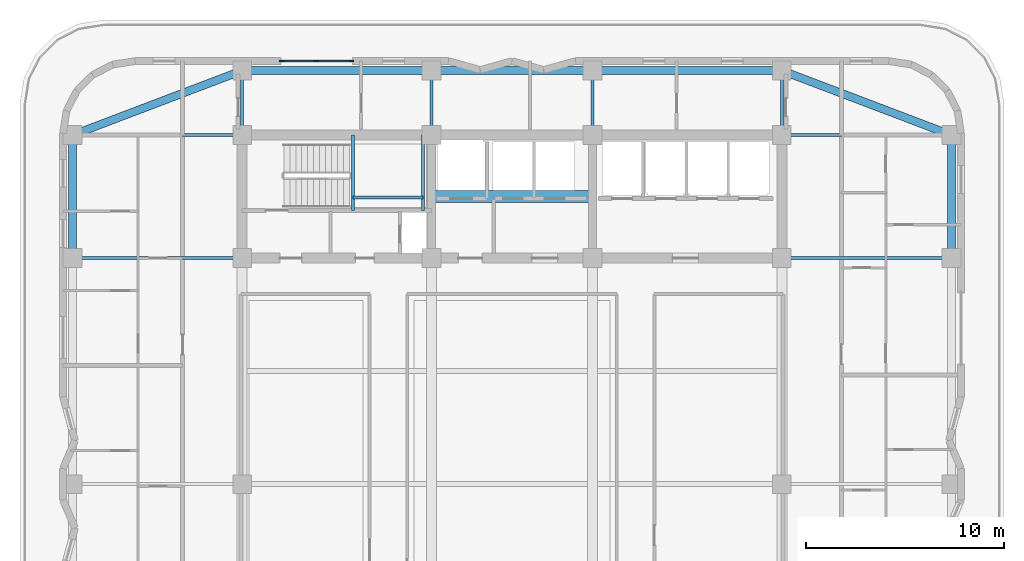
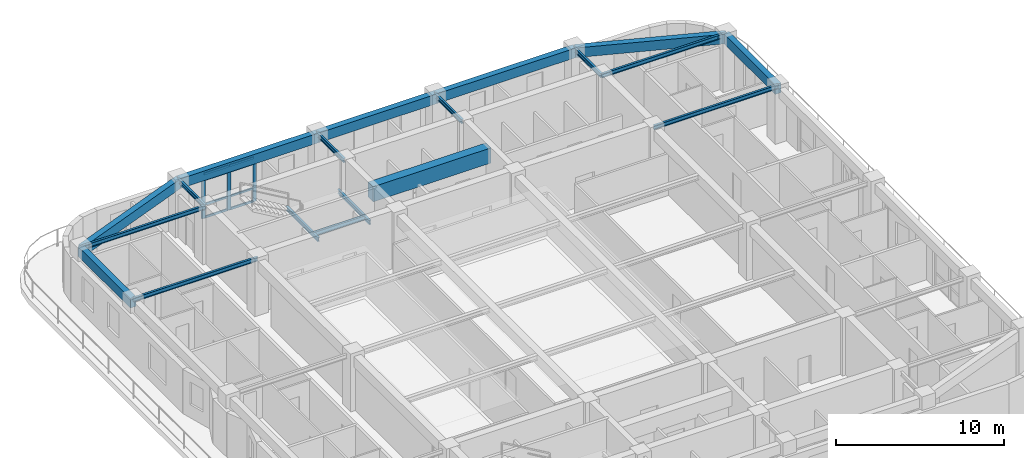
# One storey, part 4 of 14: 19 beams, 11 members, 1 element without a shape of its own.
"""IFC4 building model written with IfcOpenShell, lengths in metres."""

from ifc_helpers import new_model, si_unit, direction, frame, origin, origin_2d, place, context, subcontext, project, spatial, rectangle, i_section, extrude, material, material_profile, profile_set, type_object, element, aggregate, save


model = new_model("IFC4")

# Units and contexts
model_context = context("Model", 3, precision=1e-05, world=origin(), true_north=direction((0.0, 1.0)))
body_context = subcontext(model_context, "Body", "Model", "MODEL_VIEW")
ifc_project = project(units=[si_unit("LENGTHUNIT", "METRE"), si_unit("AREAUNIT", "SQUARE_METRE"), si_unit("VOLUMEUNIT", "CUBIC_METRE"), si_unit("PLANEANGLEUNIT", "RADIAN"), si_unit("MASSUNIT", "GRAM", prefix="KILO")], contexts=[model_context])

# Site, building, storey
site_placement = place(None, origin())
site = spatial("IfcSite", under=ifc_project, at=site_placement, CompositionType="ELEMENT")
building_placement = place(site_placement, origin())
building = spatial("IfcBuilding", under=site, at=building_placement, Name="Svetorya Sky Lyceum", CompositionType="ELEMENT")
storey_placement = place(building_placement, frame((0.0, 0.0, 143.60009765625)))
storey = spatial("IfcBuildingStorey", under=building, at=storey_placement, Name="L35", CompositionType="ELEMENT", Elevation=143.60009765625)

# Beams
ifc_material_1 = material(Name="Concrete C60/75", Category="concrete")
ifc_material_profile_1 = material_profile(ifc_material_1, rectangle(XDim=0.60009765625, YDim=1.10009765625, at=origin_2d()), Name="RC COUPLING 600x1100")
ifc_profile_set_1 = profile_set([ifc_material_profile_1], Name="Concrete C60/75")
beam_type_1 = type_object("IfcBeamType", Name="BM-CPL-1100", PredefinedType="LINTEL", material=ifc_profile_set_1)
beam_1_placement = place(storey_placement, frame((35.14990234375, 42.699951171875, 3.389892578125), z_axis=(1.0, 0.0, 0.0), x_axis=(0.0, 1.0, 0.0)))
element("IfcBeam", 1, at=beam_1_placement, inside=storey, type_object=beam_type_1, Name="L35 NC Core Coupling Beam", PredefinedType="LINTEL", context=body_context, shape_type="SweptSolid", body=[
    extrude(rectangle(XDim=0.60009765625, YDim=1.10009765625, at=origin_2d()), origin(), (0.0, 0.0, 1.0), 8.10009765625),
])
ifc_material_2 = material(Name="Concrete C50/60", Category="concrete")
ifc_material_profile_2 = material_profile(ifc_material_2, rectangle(XDim=0.39990234375, YDim=0.699951171875, at=origin_2d()), Name="RC SPANDREL 400x700")
ifc_profile_set_2 = profile_set([ifc_material_profile_2], Name="Concrete C50/60")
beam_type_2 = type_object("IfcBeamType", Name="BM-SPN-700", PredefinedType="SPANDREL", material=ifc_profile_set_2)
beam_2_placement = place(storey_placement, frame((25.60009765625, 49.050048828125, 3.58984375), z_axis=(1.0, 0.0, 0.0), x_axis=(0.0, 1.0, 0.0)))
element("IfcBeam", 2, at=beam_2_placement, inside=storey, type_object=beam_type_2, Name="L35 North Spandrel 1", PredefinedType="SPANDREL", context=body_context, shape_type="SweptSolid", body=[
    extrude(rectangle(XDim=0.39990234375, YDim=0.699951171875, at=origin_2d()), origin(), (0.0, 0.0, 1.0), 9.5498046875),
])
beam_3_placement = place(storey_placement, frame((35.14990234375, 49.050048828125, 3.58984375), z_axis=(1.0, 0.0, 0.0), x_axis=(0.0, 1.0, 0.0)))
element("IfcBeam", 3, at=beam_3_placement, inside=storey, type_object=beam_type_2, Name="L35 North Spandrel 2", PredefinedType="SPANDREL", context=body_context, shape_type="SweptSolid", body=[
    extrude(rectangle(XDim=0.39990234375, YDim=0.699951171875, at=origin_2d()), origin(), (0.0, 0.0, 1.0), 8.10009765625),
])
beam_4_placement = place(storey_placement, frame((43.25, 49.050048828125, 3.58984375), z_axis=(1.0, 0.0, 0.0), x_axis=(0.0, 1.0, 0.0)))
element("IfcBeam", 4, at=beam_4_placement, inside=storey, type_object=beam_type_2, Name="L35 North Spandrel 3", PredefinedType="SPANDREL", context=body_context, shape_type="SweptSolid", body=[
    extrude(rectangle(XDim=0.39990234375, YDim=0.699951171875, at=origin_2d()), origin(), (0.0, 0.0, 1.0), 9.550048828125),
])
for number, where, z_axis, x_axis, name in (
    (5, (61.35009765625, 45.800048828125, 3.58984375), (-0.934747947367, 0.355311518099, 0.0), (-0.355311518099, -0.934747947367, 0.0), "L35 Corner Spandrel 3"),
    (6, (17.050048828125, 45.800048828125, 3.58984375), (0.934747947367, 0.355311518099, 0.0), (-0.355311518099, 0.934747947367, 0.0), "L35 Corner Spandrel 4"),
):
    element("IfcBeam", number, at=place(storey_placement, frame(where, z_axis=z_axis, x_axis=x_axis)), inside=storey, type_object=beam_type_2, Name=name, PredefinedType="SPANDREL", context=body_context, shape_type="SweptSolid", body=[
        extrude(rectangle(XDim=0.39990234375, YDim=0.699951171875, at=origin_2d()), origin(), (0.0, 0.0, 1.0), 9.14697265625),
    ])
for number, where, z_axis, x_axis, name in (
    (7, (17.050048828125, 39.60009765625, 3.58984375), (0.0, 1.0, 0.0), (-1.0, 0.0, 0.0), "L35 West Spandrel 4"),
    (8, (61.35009765625, 39.60009765625, 3.58984375), (0.0, 1.0, 0.0), (-1.0, 0.0, 0.0), "L35 East Spandrel 4"),
):
    element("IfcBeam", number, at=place(storey_placement, frame(where, z_axis=z_axis, x_axis=x_axis)), inside=storey, type_object=beam_type_2, Name=name, PredefinedType="SPANDREL", context=body_context, shape_type="SweptSolid", body=[
        extrude(rectangle(XDim=0.39990234375, YDim=0.699951171875, at=origin_2d()), origin(), (0.0, 0.0, 1.0), 6.199951171875),
    ])
ifc_material_3 = material(Name="Steel S355", Category="steel")
ifc_material_profile_3 = material_profile(ifc_material_3, i_section(OverallWidth=0.14990234375, OverallDepth=0.299072265625, WebThickness=0.006591796875, FlangeThickness=0.010498046875, at=origin_2d()), Name="GOST 30B2")
ifc_profile_set_3 = profile_set([ifc_material_profile_3], Name="Steel S355")
beam_type_3 = type_object("IfcBeamType", Name="BM-STL-30B2", PredefinedType="JOIST", material=ifc_profile_set_3)
for number, where, z_axis, x_axis, name in (
    (9, (17.050048828125, 39.60009765625, 3.790283203125), (1.0, 0.0, 0.0), (0.0, 1.0, 0.0), "L35 West Wing Floor Joist W4"),
    (10, (52.800048828125, 39.60009765625, 3.790283203125), (1.0, 0.0, 0.0), (0.0, 1.0, 0.0), "L35 East Wing Floor Joist E4"),
    (11, (17.050048828125, 45.800048828125, 3.790283203125), (1.0, 0.0, 0.0), (0.0, 1.0, 0.0), "L35 West Wing Floor Joist W5"),
    (12, (52.800048828125, 45.800048828125, 3.790283203125), (1.0, 0.0, 0.0), (0.0, 1.0, 0.0), "L35 East Wing Floor Joist E5"),
):
    element("IfcBeam", number, at=place(storey_placement, frame(where, z_axis=z_axis, x_axis=x_axis)), inside=storey, type_object=beam_type_3, Name=name, PredefinedType="JOIST", context=body_context, shape_type="SweptSolid", body=[
        extrude(i_section(OverallWidth=0.14990234375, OverallDepth=0.299072265625, WebThickness=0.006591796875, FlangeThickness=0.010498046875, at=origin_2d()), origin(), (0.0, 0.0, 1.0), 8.550048828125),
    ])
for number, where, z_axis, x_axis, name in (
    (13, (25.60009765625, 45.800048828125, 3.790283203125), (0.0, 1.0, 0.0), (-1.0, 0.0, 0.0), "L35 North Bay Floor Girder N1"),
    (14, (35.14990234375, 45.800048828125, 3.790283203125), (0.0, 1.0, 0.0), (-1.0, 0.0, 0.0), "L35 North Bay Floor Girder N2"),
    (15, (43.25, 45.800048828125, 3.790283203125), (0.0, 1.0, 0.0), (-1.0, 0.0, 0.0), "L35 North Bay Floor Girder N3"),
    (16, (52.800048828125, 45.800048828125, 3.790283203125), (0.0, 1.0, 0.0), (-1.0, 0.0, 0.0), "L35 North Bay Floor Girder N4"),
):
    element("IfcBeam", number, at=place(storey_placement, frame(where, z_axis=z_axis, x_axis=x_axis)), inside=storey, type_object=beam_type_3, Name=name, PredefinedType="JOIST", context=body_context, shape_type="SweptSolid", body=[
        extrude(i_section(OverallWidth=0.14990234375, OverallDepth=0.299072265625, WebThickness=0.006591796875, FlangeThickness=0.010498046875, at=origin_2d()), origin(), (0.0, 0.0, 1.0), 3.25),
    ])
for number, where, z_axis, x_axis, name in (
    (17, (31.179931640625, 42.0, 1.75048828125), (0.0, 1.0, 0.0), (-1.0, 0.0, 0.0), "L35 Stair ST-N Half-Landing Support Beam 41.1"),
    (18, (34.719970703125, 42.0, 1.75048828125), (0.0, 1.0, 0.0), (-1.0, 0.0, 0.0), "L35 Stair ST-N Half-Landing Support Beam 41.2"),
):
    element("IfcBeam", number, at=place(storey_placement, frame(where, z_axis=z_axis, x_axis=x_axis)), inside=storey, type_object=beam_type_3, Name=name, PredefinedType="JOIST", context=body_context, shape_type="SweptSolid", body=[
        extrude(i_section(OverallWidth=0.14990234375, OverallDepth=0.299072265625, WebThickness=0.006591796875, FlangeThickness=0.010498046875, at=origin_2d()), origin(), (0.0, 0.0, 1.0), 3.800048828125),
    ])
beam_5_placement = place(storey_placement, frame((31.179931640625, 42.64990234375, 1.75048828125), z_axis=(1.0, 0.0, 0.0), x_axis=(0.0, 1.0, 0.0)))
element("IfcBeam", 19, at=beam_5_placement, inside=storey, type_object=beam_type_3, Name="L35 Stair ST-N Half-Landing Cross Tie 41", PredefinedType="JOIST", context=body_context, shape_type="SweptSolid", body=[
    extrude(i_section(OverallWidth=0.14990234375, OverallDepth=0.299072265625, WebThickness=0.006591796875, FlangeThickness=0.010498046875, at=origin_2d()), origin(), (0.0, 0.0, 1.0), 3.5400390625),
])

# Curtain wall, members
ifc_material_4 = material(Name="Thermally broken anodized aluminium and triple low-E glass", Category="aluminium")
curtain_wall_type = type_object("IfcCurtainWallType", Name="CW4-SKY-GALL", PredefinedType="NOTDEFINED", material=ifc_material_4)
curtain_wall_placement = place(storey_placement, origin())
curtain_wall = element("IfcCurtainWall", 20, at=curtain_wall_placement, inside=storey, type_object=curtain_wall_type, Name="L35 Sky-Lobby Panorama Curtain Wall 34", PredefinedType="NOTDEFINED")
ifc_material_5 = material(Name="Thermally broken anodized aluminium EN AW-6060", Category="aluminium")
ifc_material_profile_4 = material_profile(ifc_material_5, rectangle(XDim=0.0849609375, YDim=0.239990234375, at=origin_2d()), Name="ALU MULLION 85x240")
ifc_profile_set_4 = profile_set([ifc_material_profile_4], Name="Thermally broken anodized aluminium EN AW-6060")
member_type_1 = type_object("IfcMemberType", Name="CWM-MUL-240", PredefinedType="MULLION", material=ifc_profile_set_4)
member_1_placement = place(storey_placement, frame((31.107421875, 49.530029296875, 0.0), z_axis=(0.0, 0.0, 1.0), x_axis=(0.0, -1.0, 0.0)))
member_1 = element("IfcMember", 21, at=member_1_placement, type_object=member_type_1, Name="CW-4 mullion 1", PredefinedType="MULLION", context=body_context, shape_type="SweptSolid", body=[
    extrude(rectangle(XDim=0.0849609375, YDim=0.239990234375, at=origin_2d()), origin(), (0.0, 0.0, 1.0), 3.219970703125),
])
member_2_placement = place(storey_placement, frame((29.35009765625, 49.530029296875, 0.0), z_axis=(0.0, 0.0, 1.0), x_axis=(0.0, -1.0, 0.0)))
member_2 = element("IfcMember", 22, at=member_2_placement, type_object=member_type_1, Name="CW-4 mullion 2", PredefinedType="MULLION", context=body_context, shape_type="SweptSolid", body=[
    extrude(rectangle(XDim=0.0849609375, YDim=0.239990234375, at=origin_2d()), origin(), (0.0, 0.0, 1.0), 3.219970703125),
])
member_3_placement = place(storey_placement, frame((27.592529296875, 49.530029296875, 0.0), z_axis=(0.0, 0.0, 1.0), x_axis=(0.0, -1.0, 0.0)))
member_3 = element("IfcMember", 23, at=member_3_placement, type_object=member_type_1, Name="CW-4 mullion 3", PredefinedType="MULLION", context=body_context, shape_type="SweptSolid", body=[
    extrude(rectangle(XDim=0.0849609375, YDim=0.239990234375, at=origin_2d()), origin(), (0.0, 0.0, 1.0), 3.219970703125),
])
ifc_material_profile_5 = material_profile(ifc_material_5, rectangle(XDim=0.074951171875, YDim=0.159912109375, at=origin_2d()), Name="ALU TRANSOM 75x160")
ifc_profile_set_5 = profile_set([ifc_material_profile_5], Name="Thermally broken anodized aluminium EN AW-6060")
member_type_2 = type_object("IfcMemberType", Name="CWM-TRN-160", PredefinedType="USERDEFINED", material=ifc_profile_set_5)
member_4_placement = place(storey_placement, frame((31.06640625, 49.530029296875, 0.037353515625), z_axis=(-1.0, 0.0, 0.0), x_axis=(0.0, -1.0, 0.0)))
member_4 = element("IfcMember", 24, at=member_4_placement, type_object=member_type_2, Name="CW-4 transom 1.1", ObjectType="TRANSOM", PredefinedType="USERDEFINED", context=body_context, shape_type="SweptSolid", body=[
    extrude(rectangle(XDim=0.074951171875, YDim=0.159912109375, at=origin_2d()), origin(), (0.0, 0.0, 1.0), 1.67529296875),
])
member_5_placement = place(storey_placement, frame((31.06640625, 49.530029296875, 0.9658203125), z_axis=(-1.0, 0.0, 0.0), x_axis=(0.0, -1.0, 0.0)))
member_5 = element("IfcMember", 25, at=member_5_placement, type_object=member_type_2, Name="CW-4 transom 1.2", ObjectType="TRANSOM", PredefinedType="USERDEFINED", context=body_context, shape_type="SweptSolid", body=[
    extrude(rectangle(XDim=0.074951171875, YDim=0.159912109375, at=origin_2d()), origin(), (0.0, 0.0, 1.0), 1.67529296875),
])
member_6_placement = place(storey_placement, frame((31.06640625, 49.530029296875, 2.77001953125), z_axis=(-1.0, 0.0, 0.0), x_axis=(0.0, -1.0, 0.0)))
member_6 = element("IfcMember", 26, at=member_6_placement, type_object=member_type_2, Name="CW-4 transom 1.3", ObjectType="TRANSOM", PredefinedType="USERDEFINED", context=body_context, shape_type="SweptSolid", body=[
    extrude(rectangle(XDim=0.074951171875, YDim=0.159912109375, at=origin_2d()), origin(), (0.0, 0.0, 1.0), 1.67529296875),
])
member_7_placement = place(storey_placement, frame((31.06640625, 49.530029296875, 3.182373046875), z_axis=(-1.0, 0.0, 0.0), x_axis=(0.0, -1.0, 0.0)))
member_7 = element("IfcMember", 27, at=member_7_placement, type_object=member_type_2, Name="CW-4 transom 1.4", ObjectType="TRANSOM", PredefinedType="USERDEFINED", context=body_context, shape_type="SweptSolid", body=[
    extrude(rectangle(XDim=0.074951171875, YDim=0.159912109375, at=origin_2d()), origin(), (0.0, 0.0, 1.0), 1.67529296875),
])
member_8_placement = place(storey_placement, frame((29.30908203125, 49.530029296875, 0.037353515625), z_axis=(-1.0, 0.0, 0.0), x_axis=(0.0, -1.0, 0.0)))
member_8 = element("IfcMember", 28, at=member_8_placement, type_object=member_type_2, Name="CW-4 transom 2.1", ObjectType="TRANSOM", PredefinedType="USERDEFINED", context=body_context, shape_type="SweptSolid", body=[
    extrude(rectangle(XDim=0.074951171875, YDim=0.159912109375, at=origin_2d()), origin(), (0.0, 0.0, 1.0), 1.675537109375),
])
member_9_placement = place(storey_placement, frame((29.30908203125, 49.530029296875, 0.9658203125), z_axis=(-1.0, 0.0, 0.0), x_axis=(0.0, -1.0, 0.0)))
member_9 = element("IfcMember", 29, at=member_9_placement, type_object=member_type_2, Name="CW-4 transom 2.2", ObjectType="TRANSOM", PredefinedType="USERDEFINED", context=body_context, shape_type="SweptSolid", body=[
    extrude(rectangle(XDim=0.074951171875, YDim=0.159912109375, at=origin_2d()), origin(), (0.0, 0.0, 1.0), 1.675537109375),
])
member_10_placement = place(storey_placement, frame((29.30908203125, 49.530029296875, 2.77001953125), z_axis=(-1.0, 0.0, 0.0), x_axis=(0.0, -1.0, 0.0)))
member_10 = element("IfcMember", 30, at=member_10_placement, type_object=member_type_2, Name="CW-4 transom 2.3", ObjectType="TRANSOM", PredefinedType="USERDEFINED", context=body_context, shape_type="SweptSolid", body=[
    extrude(rectangle(XDim=0.074951171875, YDim=0.159912109375, at=origin_2d()), origin(), (0.0, 0.0, 1.0), 1.675537109375),
])
member_11_placement = place(storey_placement, frame((29.30908203125, 49.530029296875, 3.182373046875), z_axis=(-1.0, 0.0, 0.0), x_axis=(0.0, -1.0, 0.0)))
member_11 = element("IfcMember", 31, at=member_11_placement, type_object=member_type_2, Name="CW-4 transom 2.4", ObjectType="TRANSOM", PredefinedType="USERDEFINED", context=body_context, shape_type="SweptSolid", body=[
    extrude(rectangle(XDim=0.074951171875, YDim=0.159912109375, at=origin_2d()), origin(), (0.0, 0.0, 1.0), 1.675537109375),
])
aggregate(curtain_wall, [member_1, member_2, member_3, member_4, member_5, member_6, member_7, member_8, member_9, member_10, member_11])

save(model, "model.ifc")
